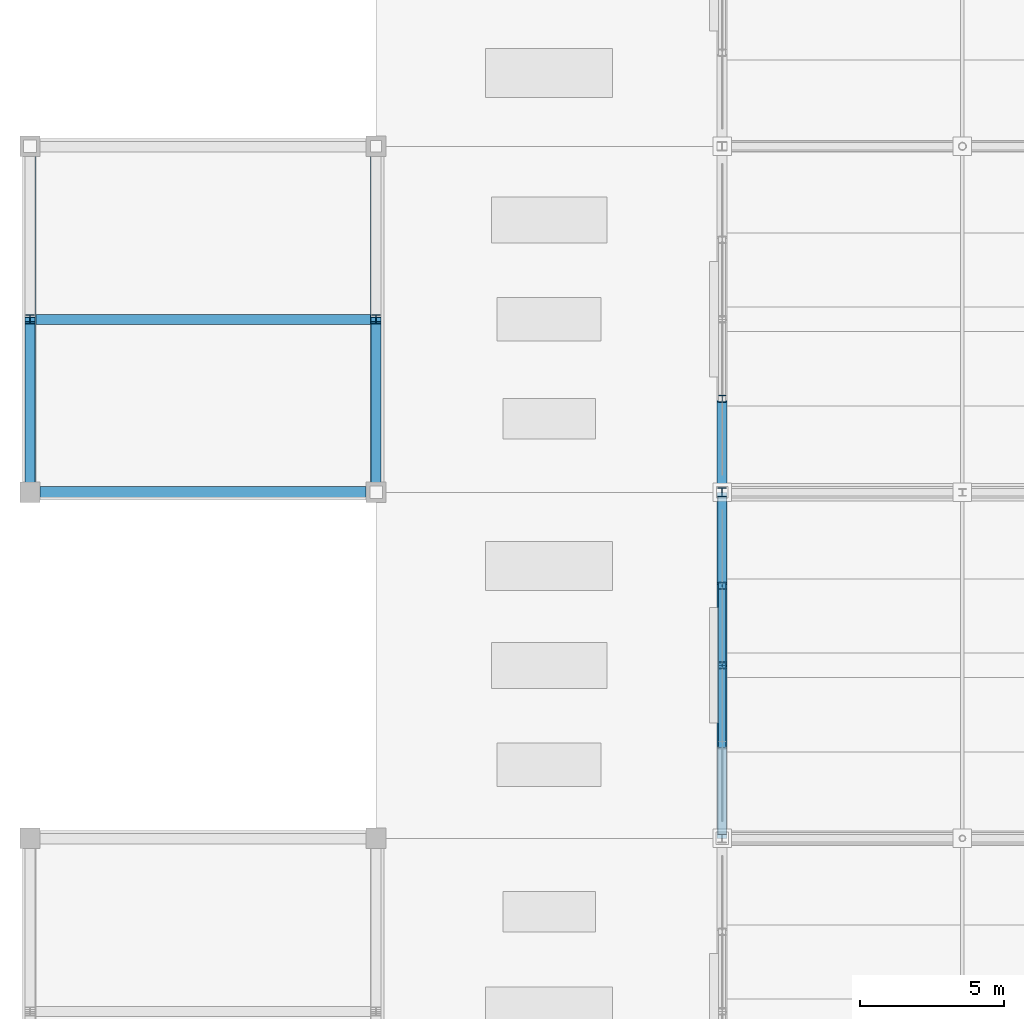
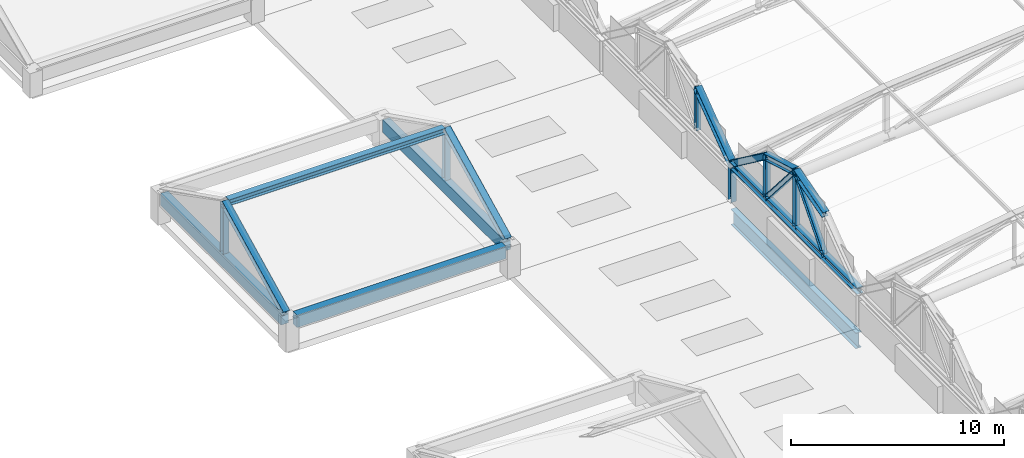
# One storey, part 28 of 117: 16 members, 4 beams.
"""IFC4 building model written with IfcOpenShell, lengths in metres."""

from ifc_helpers import new_model, si_unit, direction, frame, origin, origin_2d, place, context, subcontext, project, spatial, rectangle, i_section, extrude, material, material_profile, profile_set, type_object, element, save


model = new_model("IFC4")

# Units and contexts
model_context = context("Model", 3, precision=1e-05, world=origin(), true_north=direction((0.0, 1.0)))
body_context = subcontext(model_context, "Body", "Model", "MODEL_VIEW")
ifc_project = project(units=[si_unit("LENGTHUNIT", "METRE"), si_unit("AREAUNIT", "SQUARE_METRE"), si_unit("VOLUMEUNIT", "CUBIC_METRE"), si_unit("PLANEANGLEUNIT", "RADIAN"), si_unit("MASSUNIT", "GRAM", prefix="KILO")], contexts=[model_context])

# Site, building, storey
site_placement = place(None, origin())
site = spatial("IfcSite", under=ifc_project, at=site_placement, CompositionType="ELEMENT")
building_placement = place(site_placement, origin())
building = spatial("IfcBuilding", under=site, at=building_placement, Name="Kazenohara Klinker Stadium", CompositionType="ELEMENT")
storey_placement = place(building_placement, frame((0.0, 0.0, 31.199951171875)))
storey = spatial("IfcBuildingStorey", under=building, at=storey_placement, Name="RF", CompositionType="ELEMENT", Elevation=31.199951171875)

# Beams
ifc_material_1 = material(Name="Concrete C40/50", Category="concrete")
ifc_material_profile_1 = material_profile(ifc_material_1, rectangle(XDim=0.39990234375, YDim=0.699951171875, at=origin_2d()), Name="RC-BM-400x700")
ifc_profile_set_1 = profile_set([ifc_material_profile_1], Name="Concrete C40/50")
beam_type_1 = type_object("IfcBeamType", Name="BM-RC04", PredefinedType="BEAM", material=ifc_profile_set_1)
for number, where, z_axis, x_axis, name in (
    (1, (0.35009765625, 84.0, 1.449951171875), (1.0, 0.0, 0.0), (0.0, 1.0, 0.0), "Turret crown eave girder BG04 RF X0-7"),
    (2, (0.0, 84.35009765625, 1.449951171875), (0.0, 1.0, 0.0), (-1.0, 0.0, 0.0), "Turret crown eave girder BG04 RF Y0-7"),
    (3, (12.0, 84.35009765625, 1.449951171875), (0.0, 1.0, 0.0), (-1.0, 0.0, 0.0), "Turret crown eave girder BG04 RF Y1-7"),
):
    element("IfcBeam", number, at=place(storey_placement, frame(where, z_axis=z_axis, x_axis=x_axis)), inside=storey, type_object=beam_type_1, Name=name, PredefinedType="BEAM", context=body_context, shape_type="SweptSolid", body=[
        extrude(rectangle(XDim=0.39990234375, YDim=0.699951171875, at=origin_2d()), origin(), (0.0, 0.0, 1.0), 11.2998046875),
    ])

# Members
ifc_material_2 = material(Name="Steel S355", Category="steel")
ifc_material_profile_2 = material_profile(ifc_material_2, i_section(OverallWidth=0.35009765625, OverallDepth=0.35009765625, WebThickness=0.011962890625, FlangeThickness=0.01904296875, FilletRadius=0.012939453125, at=origin_2d()), Name="H-350x350x12x19")
ifc_profile_set_2 = profile_set([ifc_material_profile_2], Name="Steel S355")
member_type_1 = type_object("IfcMemberType", Name="MEM-CHD02", PredefinedType="CHORD", material=ifc_profile_set_2)
for number, where, z_axis, x_axis, name in (
    (4, (0.0, 84.25, 1.780029296875), (0.0, 0.894730901211, 0.44660565874), (-1.0, 0.0, 0.0), "Crown gable rafter WPAV-07 W South"),
    (5, (12.0, 84.25, 1.780029296875), (0.0, 0.894730901211, 0.44660565874), (-1.0, 0.0, 0.0), "Crown gable rafter WPAV-07 E South"),
):
    element("IfcMember", number, at=place(storey_placement, frame(where, z_axis=z_axis, x_axis=x_axis)), inside=storey, type_object=member_type_1, Name=name, PredefinedType="CHORD", context=body_context, shape_type="SweptSolid", body=[
        extrude(i_section(OverallWidth=0.35009765625, OverallDepth=0.35009765625, WebThickness=0.011962890625, FlangeThickness=0.01904296875, FilletRadius=0.012939453125, at=origin_2d()), origin(), (0.0, 0.0, 1.0), 6.426513671875),
    ])
member_1_placement = place(storey_placement, frame((0.14990234375, 90.0, 4.650146484375), z_axis=(1.0, 0.0, 0.0), x_axis=(0.0, 1.0, 0.0)))
element("IfcMember", 6, at=member_1_placement, inside=storey, type_object=member_type_1, Name="Crown ridge beam WPAV-07", PredefinedType="CHORD", context=body_context, shape_type="SweptSolid", body=[
    extrude(i_section(OverallWidth=0.35009765625, OverallDepth=0.35009765625, WebThickness=0.011962890625, FlangeThickness=0.01904296875, FilletRadius=0.012939453125, at=origin_2d()), origin(), (0.0, 0.0, 1.0), 11.7001953125),
])
member_2_placement = place(storey_placement, frame((24.0, 72.0, 2.10009765625), z_axis=(0.0, 1.0, 0.0), x_axis=(-1.0, 0.0, 0.0)))
element("IfcMember", 7, at=member_2_placement, inside=storey, type_object=member_type_1, Name="Barrel arch tie chord TC02 W-03-N0", PredefinedType="CHORD", context=body_context, shape_type="SweptSolid", body=[
    extrude(i_section(OverallWidth=0.35009765625, OverallDepth=0.35009765625, WebThickness=0.011962890625, FlangeThickness=0.01904296875, FilletRadius=0.012939453125, at=origin_2d()), origin(), (0.0, 0.0, 1.0), 12.0),
])
for number, where, z_axis, x_axis, name in (
    (8, (24.0, 75.239990234375, 4.5), (0.0, 0.960462085918, 0.27841081429), (-1.0, 0.0, 0.0), "Barrel arch top rib TC02 W-03-N0-S2"),
    (9, (24.0, 78.0, 5.300048828125), (0.0, 0.960462085918, -0.27841081429), (-1.0, 0.0, 0.0), "Barrel arch top rib TC02 W-03-N0-S3"),
):
    element("IfcMember", number, at=place(storey_placement, frame(where, z_axis=z_axis, x_axis=x_axis)), inside=storey, type_object=member_type_1, Name=name, PredefinedType="CHORD", context=body_context, shape_type="SweptSolid", body=[
        extrude(i_section(OverallWidth=0.35009765625, OverallDepth=0.35009765625, WebThickness=0.011962890625, FlangeThickness=0.01904296875, FilletRadius=0.012939453125, at=origin_2d()), origin(), (0.0, 0.0, 1.0), 2.87353515625),
    ])
for number, where, z_axis, x_axis, name in (
    (10, (24.0, 80.760009765625, 4.5), (0.0, 0.803567919639, -0.595213069856), (-1.0, 0.0, 0.0), "Barrel arch top rib TC02 W-03-N0-S4"),
    (11, (24.0, 84.0, 2.10009765625), (0.0, 0.803567919639, 0.595213069856), (-1.0, 0.0, 0.0), "Barrel arch top rib TC02 W-04-N0-S1"),
):
    element("IfcMember", number, at=place(storey_placement, frame(where, z_axis=z_axis, x_axis=x_axis)), inside=storey, type_object=member_type_1, Name=name, PredefinedType="CHORD", context=body_context, shape_type="SweptSolid", body=[
        extrude(i_section(OverallWidth=0.35009765625, OverallDepth=0.35009765625, WebThickness=0.011962890625, FlangeThickness=0.01904296875, FilletRadius=0.012939453125, at=origin_2d()), origin(), (0.0, 0.0, 1.0), 4.031982421875),
    ])
ifc_material_profile_3 = material_profile(ifc_material_2, i_section(OverallWidth=0.300048828125, OverallDepth=0.300048828125, WebThickness=0.010009765625, FlangeThickness=0.014892578125, FilletRadius=0.012939453125, at=origin_2d()), Name="H-300x300x10x15")
ifc_profile_set_3 = profile_set([ifc_material_profile_3], Name="Steel S355")
member_type_2 = type_object("IfcMemberType", Name="MEM-STR01", PredefinedType="STRUT", material=ifc_profile_set_3)
for number, where, z_axis, x_axis, name in (
    (12, (0.0, 90.0, 1.780029296875), (0.0, 0.0, 1.0), (1.0, 0.0, 0.0), "Crown gable king-post WPAV-07 W"),
    (13, (12.0, 90.0, 1.780029296875), (0.0, 0.0, 1.0), (1.0, 0.0, 0.0), "Crown gable king-post WPAV-07 E"),
):
    element("IfcMember", number, at=place(storey_placement, frame(where, z_axis=z_axis, x_axis=x_axis)), inside=storey, type_object=member_type_2, Name=name, PredefinedType="STRUT", context=body_context, shape_type="SweptSolid", body=[
        extrude(i_section(OverallWidth=0.300048828125, OverallDepth=0.300048828125, WebThickness=0.010009765625, FlangeThickness=0.014892578125, FilletRadius=0.012939453125, at=origin_2d()), origin(), (0.0, 0.0, 1.0), 2.8701171875),
    ])
member_3_placement = place(storey_placement, frame((24.0, 84.0, -0.02001953125), z_axis=(0.0, 0.0, 1.0), x_axis=(1.0, 0.0, 0.0)))
element("IfcMember", 14, at=member_3_placement, inside=storey, type_object=member_type_2, Name="ROOF TRUSS RT-W04 web post 1", PredefinedType="STRUT", context=body_context, shape_type="SweptSolid", body=[
    extrude(i_section(OverallWidth=0.300048828125, OverallDepth=0.300048828125, WebThickness=0.010009765625, FlangeThickness=0.014892578125, FilletRadius=0.012939453125, at=origin_2d()), origin(), (0.0, 0.0, 1.0), 2.1201171875),
])
ifc_material_profile_4 = material_profile(ifc_material_2, i_section(OverallWidth=0.25, OverallDepth=0.25, WebThickness=0.009033203125, FlangeThickness=0.013916015625, FilletRadius=0.012939453125, at=origin_2d()), Name="H-250x250x9x14")
ifc_profile_set_4 = profile_set([ifc_material_profile_4], Name="Steel S355")
member_type_3 = type_object("IfcMemberType", Name="MEM-STR02", PredefinedType="STRUT", material=ifc_profile_set_4)
member_4_placement = place(storey_placement, frame((24.0, 78.0, 2.10009765625), z_axis=(0.0, 0.0, 1.0), x_axis=(1.0, 0.0, 0.0)))
element("IfcMember", 15, at=member_4_placement, inside=storey, type_object=member_type_3, Name="Barrel arch web post TS02 W-03-N0-P2", PredefinedType="STRUT", context=body_context, shape_type="SweptSolid", body=[
    extrude(i_section(OverallWidth=0.25, OverallDepth=0.25, WebThickness=0.009033203125, FlangeThickness=0.013916015625, FilletRadius=0.012939453125, at=origin_2d()), origin(), (0.0, 0.0, 1.0), 3.199951171875),
])
member_5_placement = place(storey_placement, frame((24.0, 80.760009765625, 2.10009765625), z_axis=(0.0, 0.0, 1.0), x_axis=(1.0, 0.0, 0.0)))
element("IfcMember", 16, at=member_5_placement, inside=storey, type_object=member_type_3, Name="Barrel arch web post TS02 W-03-N0-P3", PredefinedType="STRUT", context=body_context, shape_type="SweptSolid", body=[
    extrude(i_section(OverallWidth=0.25, OverallDepth=0.25, WebThickness=0.009033203125, FlangeThickness=0.013916015625, FilletRadius=0.012939453125, at=origin_2d()), origin(), (0.0, 0.0, 1.0), 2.39990234375),
])
for number, where, z_axis, x_axis, name in (
    (17, (24.0, 75.239990234375, 2.10009765625), (0.0, 0.653133887971, 0.757242447558), (-1.0, 0.0, 0.0), "Barrel arch web diagonal TS02 W-03-N0-D1"),
    (18, (24.0, 80.760009765625, 2.10009765625), (0.0, -0.653133887971, 0.757242447558), (1.0, 0.0, 0.0), "Barrel arch web diagonal TS02 W-03-N0-D2"),
):
    element("IfcMember", number, at=place(storey_placement, frame(where, z_axis=z_axis, x_axis=x_axis)), inside=storey, type_object=member_type_3, Name=name, PredefinedType="STRUT", context=body_context, shape_type="SweptSolid", body=[
        extrude(i_section(OverallWidth=0.25, OverallDepth=0.25, WebThickness=0.009033203125, FlangeThickness=0.013916015625, FilletRadius=0.012939453125, at=origin_2d()), origin(), (0.0, 0.0, 1.0), 4.225830078125),
    ])
member_6_placement = place(storey_placement, frame((24.0, 87.239990234375, 2.10009765625), z_axis=(0.0, 0.0, 1.0), x_axis=(1.0, 0.0, 0.0)))
element("IfcMember", 19, at=member_6_placement, inside=storey, type_object=member_type_3, Name="Barrel arch web post TS02 W-04-N0-P1", PredefinedType="STRUT", context=body_context, shape_type="SweptSolid", body=[
    extrude(i_section(OverallWidth=0.25, OverallDepth=0.25, WebThickness=0.009033203125, FlangeThickness=0.013916015625, FilletRadius=0.012939453125, at=origin_2d()), origin(), (0.0, 0.0, 1.0), 2.39990234375),
])

# Beam
ifc_material_profile_5 = material_profile(ifc_material_2, i_section(OverallWidth=0.300048828125, OverallDepth=0.89990234375, WebThickness=0.01611328125, FlangeThickness=0.028076171875, FilletRadius=0.02197265625, at=origin_2d()), Name="H-900x300x16x28")
ifc_profile_set_5 = profile_set([ifc_material_profile_5], Name="Steel S355")
beam_type_2 = type_object("IfcBeamType", Name="RING-RB01", PredefinedType="USERDEFINED", material=ifc_profile_set_5)
beam_placement = place(storey_placement, frame((24.0, 72.139892578125, -0.820068359375), z_axis=(0.0, 1.0, 0.0), x_axis=(-1.0, 0.0, 0.0)))
element("IfcBeam", 20, at=beam_placement, inside=storey, type_object=beam_type_2, Name="Roof ring beam RB01 W-OUT G-H", ObjectType="RING BEAM", PredefinedType="USERDEFINED", context=body_context, shape_type="SweptSolid", body=[
    extrude(i_section(OverallWidth=0.300048828125, OverallDepth=0.89990234375, WebThickness=0.01611328125, FlangeThickness=0.028076171875, FilletRadius=0.02197265625, at=origin_2d()), origin(), (0.0, 0.0, 1.0), 11.72021484375),
])

save(model, "model.ifc")
